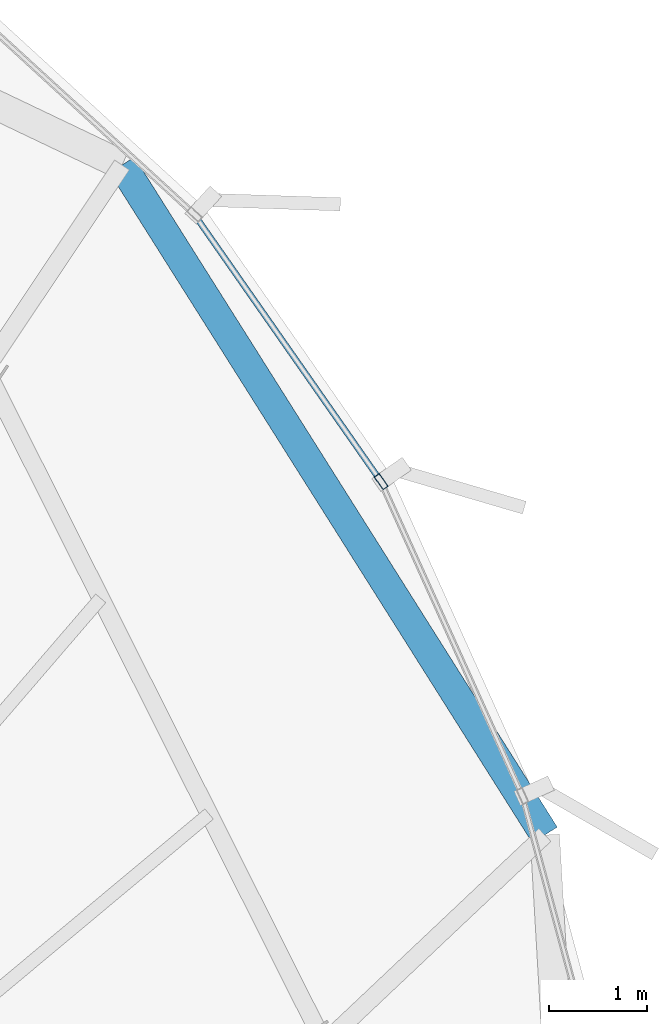
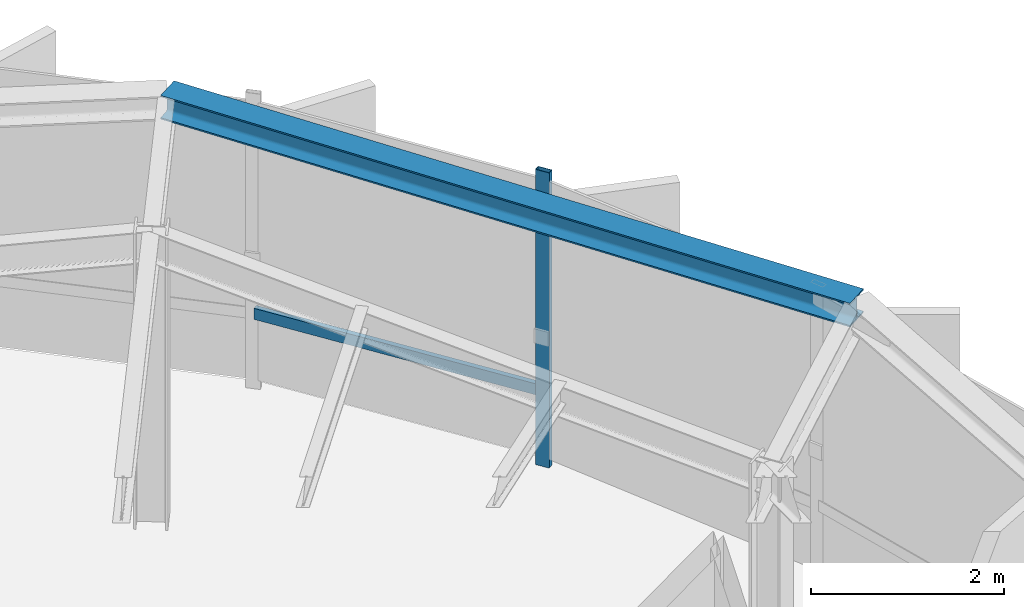
# One storey, part 20 of 27: 2 members, 1 beam, 1 element without a shape of its own.
"""IFC4 building model written with IfcOpenShell, lengths in metres."""

from ifc_helpers import new_model, si_unit, direction, frame, origin, origin_2d, place, context, subcontext, project, spatial, hollow_rectangle, i_section, extrude, source, transform, mapped, material, layer, layer_set, material_profile, profile_set, type_object, element, aggregate, save


model = new_model("IFC4")

# Units and contexts
model_context = context("Model", 3, precision=1e-05, world=origin(), true_north=direction((0.0, 1.0)))
body_context = subcontext(model_context, "Body", "Model", "MODEL_VIEW")
ifc_project = project(units=[si_unit("LENGTHUNIT", "METRE"), si_unit("AREAUNIT", "SQUARE_METRE"), si_unit("VOLUMEUNIT", "CUBIC_METRE"), si_unit("PLANEANGLEUNIT", "RADIAN"), si_unit("MASSUNIT", "GRAM", prefix="KILO"), si_unit("THERMODYNAMICTEMPERATUREUNIT", "KELVIN")], contexts=[model_context])

# Site, building, storey
site_placement = place(None, origin())
site = spatial("IfcSite", under=ifc_project, at=site_placement, CompositionType="ELEMENT")
building_placement = place(site_placement, origin())
building = spatial("IfcBuilding", under=site, at=building_placement, Name="Kethvar Cultural Tower", CompositionType="ELEMENT")
storey_placement = place(building_placement, frame((0.0, 0.0, 312.300048828125)))
storey = spatial("IfcBuildingStorey", under=building, at=storey_placement, Name="L83", CompositionType="ELEMENT", Elevation=312.300048828125)

# Beam
ifc_material_1 = material(Name="Steel S355J2", Category="steel")
ifc_material_profile_1 = material_profile(ifc_material_1, i_section(OverallWidth=0.300048828125, OverallDepth=0.300048828125, WebThickness=0.010986328125, FlangeThickness=0.01904296875, FilletRadius=0.027099609375, at=origin_2d()), Name="Steel S355J2 — HEB300")
ifc_profile_set_1 = profile_set([ifc_material_profile_1], Name="Steel S355J2 — HEB300")
beam_type = type_object("IfcBeamType", Name="BM-SP300", PredefinedType="SPANDREL", material=ifc_profile_set_1)
shared_shape_1 = source(origin(), body_context, "Body", "SweptSolid", [
    extrude(i_section(OverallWidth=0.300048828125, OverallDepth=0.300048828125, WebThickness=0.010986328125, FlangeThickness=0.01904296875, FilletRadius=0.027099609375, at=origin_2d()), origin(), (0.0, 0.0, 1.0), 8.072998046875),
])
beam_placement = place(storey_placement, frame((63.573486328125, 39.6279296875, 3.5830078125), z_axis=(-0.533680055223, 0.84568646593, 0.0), x_axis=(-0.84568646593, -0.533680055223, 0.0)))
element("IfcBeam", 1, at=beam_placement, inside=storey, type_object=beam_type, Name="L83 Perimeter Spandrel Beam SP-02", PredefinedType="SPANDREL", context=body_context, shape_type="MappedRepresentation", body=[
    mapped(shared_shape_1, transform((0.0, 0.0, 0.0), scale=1.0)),
])

# Curtain wall, members
ifc_material_2 = material(Name="Aluminium 6063-T6", Category="aluminium")
ifc_layer = layer(ifc_material_2, 0.179931640625, Name="Aluminium 6063-T6", Category="aluminium")
ifc_layer_set = layer_set([ifc_layer], Name="Aluminium 6063-T6 (180 mm)")
curtain_wall_type = type_object("IfcCurtainWallType", Name="CW-SYS-06-CROWN", PredefinedType="NOTDEFINED", material=ifc_layer_set)
curtain_wall_placement = place(storey_placement, origin())
curtain_wall = element("IfcCurtainWall", 2, at=curtain_wall_placement, inside=storey, type_object=curtain_wall_type, Name="L83 Curtain Wall Run 06", PredefinedType="NOTDEFINED")
ifc_material_profile_2 = material_profile(ifc_material_2, hollow_rectangle(XDim=0.06494140625, YDim=0.159912109375, WallThickness=0.0048828125, at=origin_2d()), Name="Aluminium 6063-T6 — RHS160x65x5")
ifc_profile_set_2 = profile_set([ifc_material_profile_2], Name="Aluminium 6063-T6 — RHS160x65x5")
member_type_1 = type_object("IfcMemberType", Name="CW-SYS-06-CROWN-MUL", PredefinedType="MULLION", material=ifc_profile_set_2)
shared_shape_2 = source(origin(), body_context, "Body", "SweptSolid", [
    extrude(hollow_rectangle(XDim=0.06494140625, YDim=0.159912109375, WallThickness=0.0048828125, at=origin_2d()), origin(), (0.0, 0.0, 1.0), 3.73486328125),
])
member_1_placement = place(storey_placement, frame((61.905517578125, 43.228515625, 0.0), z_axis=(0.0, 0.0, 1.0), x_axis=(-0.819562277216, -0.572990116638, 0.0)))
member_1 = element("IfcMember", 3, at=member_1_placement, type_object=member_type_1, Name="CW-L83-R06 Mullion 4", PredefinedType="MULLION", context=body_context, shape_type="MappedRepresentation", body=[
    mapped(shared_shape_2, transform((0.0, 0.0, 0.0), scale=1.0)),
])
ifc_material_profile_3 = material_profile(ifc_material_2, hollow_rectangle(XDim=0.06005859375, YDim=0.139892578125, WallThickness=0.0048828125, at=origin_2d()), Name="Aluminium 6063-T6 — RHS140x60x5")
ifc_profile_set_3 = profile_set([ifc_material_profile_3], Name="Aluminium 6063-T6 — RHS140x60x5")
member_type_2 = type_object("IfcMemberType", Name="CW-SYS-06-CROWN-TRN", PredefinedType="USERDEFINED", material=ifc_profile_set_3)
shared_shape_3 = source(origin(), body_context, "Body", "SweptSolid", [
    extrude(hollow_rectangle(XDim=0.06005859375, YDim=0.139892578125, WallThickness=0.0048828125, at=origin_2d()), origin(), (0.0, 0.0, 1.0), 3.25244140625),
])
member_2_placement = place(storey_placement, frame((61.87841796875, 43.26708984375, 0.949951171875), z_axis=(-0.572978597869, 0.819570330346, 0.0), x_axis=(-0.819570330346, -0.572978597869, 0.0)))
member_2 = element("IfcMember", 4, at=member_2_placement, type_object=member_type_2, Name="CW-L83-R06 Transom 4", ObjectType="TRANSOM", PredefinedType="USERDEFINED", context=body_context, shape_type="MappedRepresentation", body=[
    mapped(shared_shape_3, transform((0.0, 0.0, 0.0), scale=1.0)),
])
aggregate(curtain_wall, [member_1, member_2])

save(model, "model.ifc")
